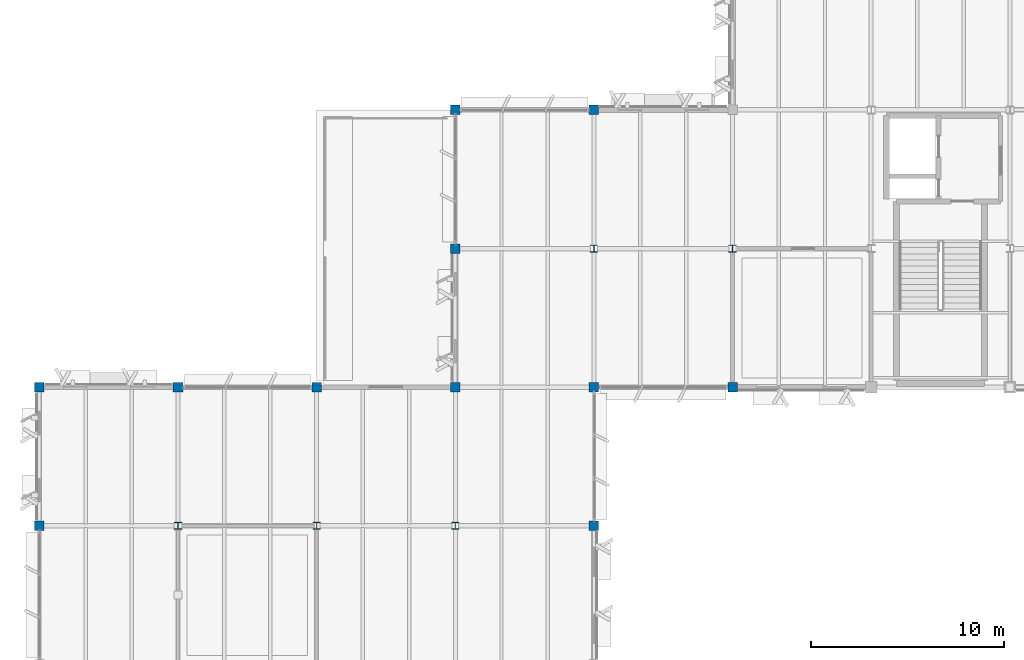
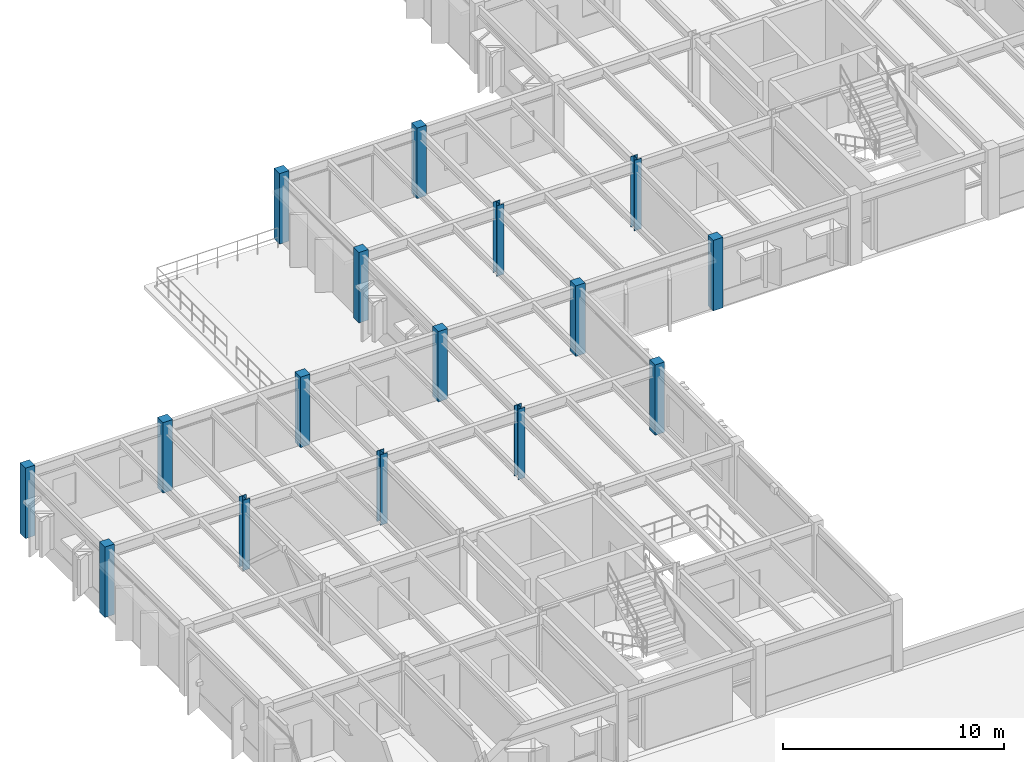
# One storey, part 8 of 82: 16 columns.
"""IFC4 building model written with IfcOpenShell, lengths in metres."""

import ifcopenshell
import ifcopenshell.guid

model = None  # the IFC model being written
_history = None  # IfcOwnerHistory: only IFC2X3 demands one
_inside = {}  # id of a spatial element -> (the spatial element, [elements in it])
_under = {}  # id of a project, library or spatial element -> (it, [spatial elements below it])
_declared = {}  # id of a project -> (the project, [libraries it declares])
_typed = {}  # id of a type object -> (the type object, [elements of that type])
_made_of = {}  # id of a material, layer set ... -> (it, [elements and type objects made of it])


def new_model(schema):
    """Start an empty IFC model of exactly this schema.

    Asked for "IFC4X3", IfcOpenShell would pick the latest addendum, in which some entities
    have other attributes; the version numbers below select the first issue.
    IFC2X3 requires an IfcOwnerHistory on every rooted entity: one is made here for all.
    """
    global model, _history
    if schema == "IFC4X3":
        model = ifcopenshell.file(schema_version=(4, 3, 0, 0))
    else:
        model = ifcopenshell.file(schema=schema)
    _inside.clear()
    _under.clear()
    _declared.clear()
    _typed.clear()
    _made_of.clear()
    _history = None
    if model.schema == "IFC2X3":
        org = make("IfcOrganization", Name="unknown")
        user = make(
            "IfcPersonAndOrganization",
            ThePerson=make("IfcPerson", FamilyName="unknown"),
            TheOrganization=org,
        )
        app = make(
            "IfcApplication",
            ApplicationDeveloper=org,
            Version="unknown",
            ApplicationFullName="unknown",
            ApplicationIdentifier="unknown",
        )
        _history = make(
            "IfcOwnerHistory",
            OwningUser=user,
            OwningApplication=app,
            ChangeAction="ADDED",
            CreationDate=0,
        )
    return model


def make(cls, **values):
    """One entity of the class cls with the attributes given. An attribute that is None is left unset."""
    return model.create_entity(
        cls, **{name: value for name, value in values.items() if value is not None}
    )


def rooted(cls, **values):
    """An entity with a GlobalId (a new one), such as an element, a storey or a relation."""
    return make(cls, GlobalId=ifcopenshell.guid.new(), OwnerHistory=_history, **values)


def si_unit(unit_type, name, prefix=None):
    """IfcSIUnit, for example si_unit("LENGTHUNIT", "METRE", prefix="MILLI")."""
    return make("IfcSIUnit", UnitType=unit_type, Prefix=prefix, Name=name)


def assignment(units):
    """IfcUnitAssignment: the units of a project."""
    return None if units is None else make("IfcUnitAssignment", Units=units)


def point(xyz):
    """IfcCartesianPoint."""
    return None if xyz is None else make("IfcCartesianPoint", Coordinates=xyz)


def direction(xyz):
    """IfcDirection."""
    return None if xyz is None else make("IfcDirection", DirectionRatios=xyz)


def frame(location, z_axis=None, x_axis=None):
    """IfcAxis2Placement3D, a coordinate frame: its origin and axes. An axis left out is left unset."""
    return make(
        "IfcAxis2Placement3D",
        Location=point(location),
        Axis=direction(z_axis),
        RefDirection=direction(x_axis),
    )


def frame_2d(location, x_axis=None):
    """IfcAxis2Placement2D, a coordinate frame in the plane: its origin and x axis."""
    return make(
        "IfcAxis2Placement2D", Location=point(location), RefDirection=direction(x_axis)
    )


def origin():
    """The frame at (0, 0, 0) with its axes left unset."""
    return frame((0.0, 0.0, 0.0))


def origin_2d():
    """The frame at (0, 0) in the plane with its x axis left unset."""
    return frame_2d((0.0, 0.0))


def place(relative_to, where):
    """IfcLocalPlacement: puts the frame where relative to a parent placement (None: the world)."""
    return make(
        "IfcLocalPlacement", PlacementRelTo=relative_to, RelativePlacement=where
    )


def context(
    kind, dimensions, precision=None, world=None, true_north=None, identifier=None
):
    """IfcGeometricRepresentationContext, for example the 3D "Model" context."""
    return make(
        "IfcGeometricRepresentationContext",
        ContextIdentifier=identifier,
        ContextType=kind,
        CoordinateSpaceDimension=dimensions,
        Precision=precision,
        WorldCoordinateSystem=world,
        TrueNorth=true_north,
    )


def subcontext(parent, identifier, kind, view, scale=None):
    """IfcGeometricRepresentationSubContext, for example "Body" below "Model"."""
    return make(
        "IfcGeometricRepresentationSubContext",
        ContextIdentifier=identifier,
        ContextType=kind,
        ParentContext=parent,
        TargetScale=scale,
        TargetView=view,
    )


def project(units=None, contexts=None):
    """IfcProject with its units and contexts."""
    return rooted(
        "IfcProject",
        Name="project",
        RepresentationContexts=contexts,
        UnitsInContext=assignment(units),
    )


def spatial(cls, under=None, at=None, **own):
    """A site, building, storey or space (cls), placed at a placement, below another one or the project."""
    s = rooted(cls, ObjectPlacement=at, **own)
    if under is not None:
        _under.setdefault(under.id(), (under, []))[1].append(s)
    return s


def profile(cls, at=None, kind="AREA", **sizes):
    """A parametric profile (cls). Its sizes go by their IFC names, for example OverallWidth=200.0."""
    return make(cls, ProfileType=kind, Position=at, **sizes)


def rectangle(**sizes):
    """IfcRectangleProfileDef."""
    return profile("IfcRectangleProfileDef", **sizes)


def i_section(**sizes):
    """IfcIShapeProfileDef."""
    return profile("IfcIShapeProfileDef", **sizes)


def extrude(swept, where, along, depth):
    """IfcExtrudedAreaSolid: the profile swept, set in the frame where, extruded along a direction by depth."""
    return make(
        "IfcExtrudedAreaSolid",
        SweptArea=swept,
        Position=where,
        ExtrudedDirection=direction(along),
        Depth=depth,
    )


def shape(context_of_items, identifier, shape_type, items):
    """IfcShapeRepresentation: the items that make up one representation, for example the "Body"."""
    return make(
        "IfcShapeRepresentation",
        ContextOfItems=context_of_items,
        RepresentationIdentifier=identifier,
        RepresentationType=shape_type,
        Items=items,
    )


def material(Name=None, Category=None):
    """IfcMaterial."""
    return make("IfcMaterial", Name=Name, Category=Category)


def material_profile(
    of_material, cross_section, Name=None, Category=None, Priority=None
):
    """IfcMaterialProfile: a cross section and its material."""
    return make(
        "IfcMaterialProfile",
        Name=Name,
        Material=of_material,
        Profile=cross_section,
        Priority=Priority,
        Category=Category,
    )


def profile_set(profiles, Name=None, composite=None):
    """IfcMaterialProfileSet."""
    return make(
        "IfcMaterialProfileSet",
        Name=Name,
        MaterialProfiles=profiles,
        CompositeProfile=composite,
    )


def made_of(thing, what):
    """Note that an element or type object is made of a material, layer set ...; save() writes the relation."""
    if what is not None:
        _made_of.setdefault(what.id(), (what, []))[1].append(thing)
    return thing


def type_object(cls, material=None, **own):
    """A type object (cls), such as IfcWallType, which elements share."""
    return made_of(rooted(cls, **own), material)


def element(
    cls,
    number,
    at=None,
    inside=None,
    cuts=None,
    type_object=None,
    material=None,
    context=None,
    identifier="Body",
    shape_type=None,
    held_by="IfcProductDefinitionShape",
    body=None,
    shapes=None,
    **own,
):
    """One element of the class cls, such as IfcWall. Its Tag is "e" and its number.

    at: its placement. inside: the storey or other place that contains it. cuts: it is an
    opening in that element (IfcRelVoidsElement). A single representation is given by context,
    identifier, shape_type and body (its items); several are given by shapes. held_by: the class
    of the entity that holds the representations. save() writes the other relations.
    """
    e = rooted(cls, Tag="e%d" % number, ObjectPlacement=at, **own)
    if body is not None:
        shapes = [shape(context, identifier, shape_type, body)]
    if shapes is not None:
        e.Representation = make(held_by, Representations=shapes)
    if inside is not None:
        _inside.setdefault(inside.id(), (inside, []))[1].append(e)
    if cuts is not None:
        rooted(
            "IfcRelVoidsElement", RelatingBuildingElement=cuts, RelatedOpeningElement=e
        )
    if type_object is not None:
        _typed.setdefault(type_object.id(), (type_object, []))[1].append(e)
    return made_of(e, material)


def aggregate(whole, parts):
    """IfcRelAggregates: a whole, such as a stair, and the parts it consists of."""
    return rooted("IfcRelAggregates", RelatingObject=whole, RelatedObjects=parts)


def save(model, path):
    """Write the relations noted so far, then the file.

    IfcRelAggregates (storeys below a building ...), IfcRelContainedInSpatialStructure (elements
    in a storey), IfcRelDefinesByType, IfcRelAssociatesMaterial and IfcRelDeclares: one each for
    every whole, place, type object, material and project.
    """
    for whole, parts in _under.values():
        aggregate(whole, parts)
    for where, things in _inside.values():
        rooted(
            "IfcRelContainedInSpatialStructure",
            RelatedElements=things,
            RelatingStructure=where,
        )
    for kind, things in _typed.values():
        rooted("IfcRelDefinesByType", RelatedObjects=things, RelatingType=kind)
    for what, things in _made_of.values():
        rooted("IfcRelAssociatesMaterial", RelatedObjects=things, RelatingMaterial=what)
    for by, libraries in _declared.values():
        rooted("IfcRelDeclares", RelatingContext=by, RelatedDefinitions=libraries)
    model.write(path)


model = new_model("IFC4")

# Units and contexts
model_context = context("Model", 3, precision=1e-05, world=origin(), true_north=direction((0.0, 1.0)))
body_context = subcontext(model_context, "Body", "Model", "MODEL_VIEW")
ifc_project = project(units=[si_unit("LENGTHUNIT", "METRE"), si_unit("AREAUNIT", "SQUARE_METRE"), si_unit("VOLUMEUNIT", "CUBIC_METRE"), si_unit("PLANEANGLEUNIT", "RADIAN"), si_unit("MASSUNIT", "GRAM", prefix="KILO")], contexts=[model_context])

# Site, building, storey
site_placement = place(None, origin())
site = spatial("IfcSite", under=ifc_project, at=site_placement, CompositionType="ELEMENT")
building_placement = place(site_placement, origin())
building = spatial("IfcBuilding", under=site, at=building_placement, Name="Sillqori Civic Hall", CompositionType="ELEMENT")
storey_placement = place(building_placement, frame((0.0, 0.0, 14.10009765625)))
storey = spatial("IfcBuildingStorey", under=building, at=storey_placement, Name="L04", CompositionType="ELEMENT", Elevation=14.10009765625)

# Columns
ifc_material_1 = material(Name="Concrete C35/45 (H35)", Category="concrete")
ifc_material_profile_1 = material_profile(ifc_material_1, rectangle(XDim=0.5, YDim=0.5, at=origin_2d()), Name="RC 500x500")
ifc_profile_set_1 = profile_set([ifc_material_profile_1], Name="Concrete C35/45 (H35)")
column_type_1 = type_object("IfcColumnType", Name="COL-RC500", PredefinedType="COLUMN", material=ifc_profile_set_1)
for number, where, z_axis, x_axis, name in (
    (1, (7.199951171875, 72.0, 0.0), (0.0, 0.0, 1.0), (1.0, 0.0, 0.0), "L04 column 1-10"),
    (2, (7.199951171875, 79.199951171875, 0.0), (0.0, 0.0, 1.0), (1.0, 0.0, 0.0), "L04 column 1-11"),
    (3, (14.39990234375, 79.199951171875, 0.0), (0.0, 0.0, 1.0), (1.0, 0.0, 0.0), "L04 column 2-11"),
    (4, (21.60009765625, 79.199951171875, 0.0), (0.0, 0.0, 1.0), (1.0, 0.0, 0.0), "L04 column 3-11"),
    (5, (28.800048828125, 79.199951171875, 0.0), (0.0, 0.0, 1.0), (1.0, 0.0, 0.0), "L04 column 4-11"),
    (6, (28.800048828125, 86.39990234375, 0.0), (0.0, 0.0, 1.0), (1.0, 0.0, 0.0), "L04 column 4-12"),
    (7, (28.800048828125, 93.60009765625, 0.0), (0.0, 0.0, 1.0), (1.0, 0.0, 0.0), "L04 column 4-13"),
    (8, (36.0, 72.0, 0.0), (0.0, 0.0, 1.0), (1.0, 0.0, 0.0), "L04 column 5-10"),
    (9, (36.0, 79.199951171875, 0.0), (0.0, 0.0, 1.0), (1.0, 0.0, 0.0), "L04 column 5-11"),
    (10, (36.0, 93.60009765625, 0.0), (0.0, 0.0, 1.0), (1.0, 0.0, 0.0), "L04 column 5-13"),
    (11, (43.199951171875, 79.199951171875, 0.0), (0.0, 0.0, 1.0), (1.0, 0.0, 0.0), "L04 column 6-11"),
):
    element("IfcColumn", number, at=place(storey_placement, frame(where, z_axis=z_axis, x_axis=x_axis)), inside=storey, type_object=column_type_1, Name=name, PredefinedType="COLUMN", context=body_context, shape_type="SweptSolid", body=[
        extrude(rectangle(XDim=0.5, YDim=0.5, at=origin_2d()), origin(), (0.0, 0.0, 1.0), 3.89990234375),
    ])
ifc_material_2 = material(Name="Steel ASTM A992", Category="steel")
ifc_material_profile_2 = material_profile(ifc_material_2, i_section(OverallWidth=0.37109375, OverallDepth=0.361083984375, WebThickness=0.012451171875, FlangeThickness=0.019775390625, FilletRadius=0.014892578125, at=origin_2d()), Name="W14X99")
ifc_profile_set_2 = profile_set([ifc_material_profile_2], Name="Steel ASTM A992")
column_type_2 = type_object("IfcColumnType", Name="COL-W14X99", PredefinedType="COLUMN", material=ifc_profile_set_2)
for number, where, z_axis, x_axis, name in (
    (12, (14.39990234375, 72.0, 0.0), (0.0, 0.0, 1.0), (1.0, 0.0, 0.0), "L04 column 2-10"),
    (13, (21.60009765625, 72.0, 0.0), (0.0, 0.0, 1.0), (1.0, 0.0, 0.0), "L04 column 3-10"),
    (14, (28.800048828125, 72.0, 0.0), (0.0, 0.0, 1.0), (1.0, 0.0, 0.0), "L04 column 4-10"),
    (15, (36.0, 86.39990234375, 0.0), (0.0, 0.0, 1.0), (1.0, 0.0, 0.0), "L04 column 5-12"),
    (16, (43.199951171875, 86.39990234375, 0.0), (0.0, 0.0, 1.0), (1.0, 0.0, 0.0), "L04 column 6-12"),
):
    element("IfcColumn", number, at=place(storey_placement, frame(where, z_axis=z_axis, x_axis=x_axis)), inside=storey, type_object=column_type_2, Name=name, PredefinedType="COLUMN", context=body_context, shape_type="SweptSolid", body=[
        extrude(i_section(OverallWidth=0.37109375, OverallDepth=0.361083984375, WebThickness=0.012451171875, FlangeThickness=0.019775390625, FilletRadius=0.014892578125, at=origin_2d()), origin(), (0.0, 0.0, 1.0), 3.89990234375),
    ])

save(model, "model.ifc")
